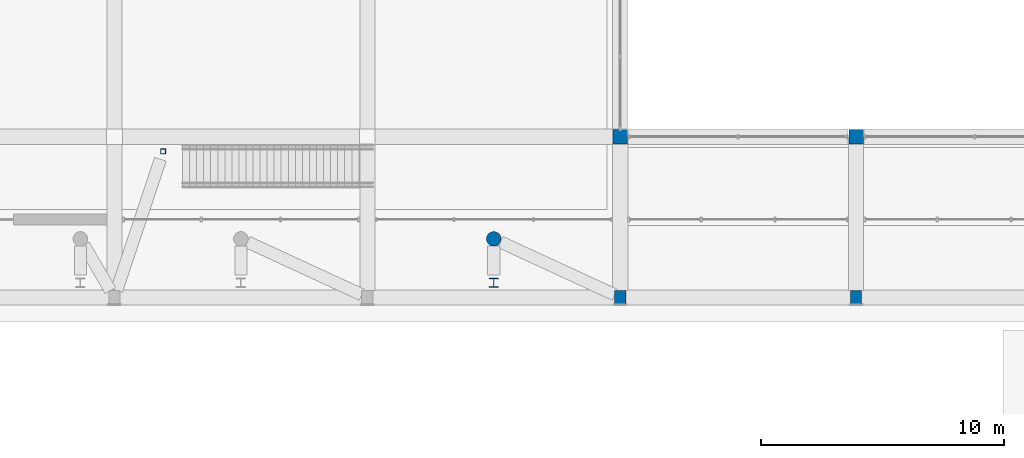
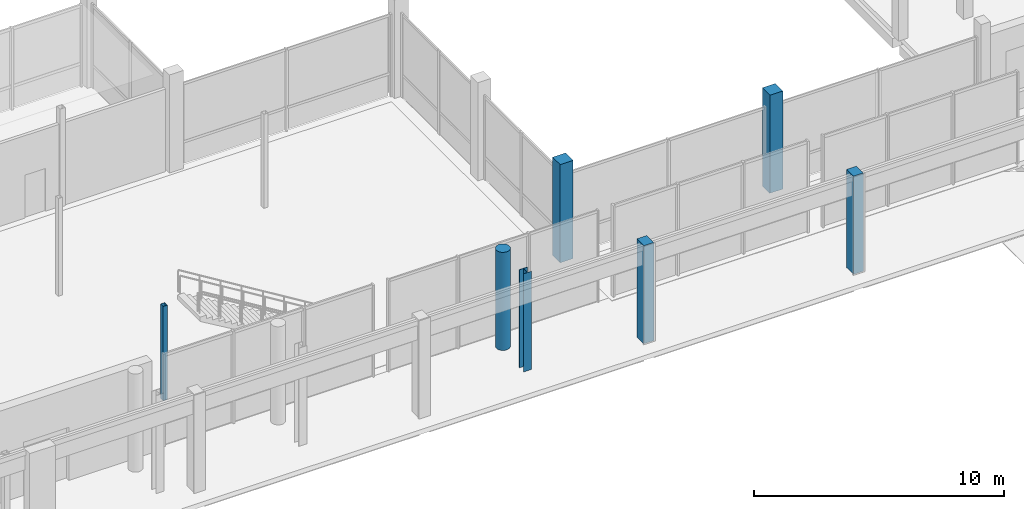
# One storey, part 10 of 88: 7 columns.
"""IFC4 building model written with IfcOpenShell, lengths in metres."""

from ifc_helpers import new_model, si_unit, derived_unit, direction, frame, origin, origin_2d, place, context, subcontext, project, spatial, rectangle, hollow_rectangle, circle, i_section, extrude, material, material_profile, profile_set, type_object, element, save


model = new_model("IFC4")

# Units and contexts
model_context = context("Model", 3, precision=1e-05, world=origin(), true_north=direction((0.0, 1.0)))
body_context = subcontext(model_context, "Body", "Model", "MODEL_VIEW")
ifc_project = project(units=[si_unit("LENGTHUNIT", "METRE"), si_unit("AREAUNIT", "SQUARE_METRE"), si_unit("VOLUMEUNIT", "CUBIC_METRE"), si_unit("PLANEANGLEUNIT", "RADIAN"), si_unit("MASSUNIT", "GRAM", prefix="KILO"), derived_unit("THERMALTRANSMITTANCEUNIT", [(si_unit("POWERUNIT", "WATT"), 1), (si_unit("LENGTHUNIT", "METRE"), -2), (si_unit("THERMODYNAMICTEMPERATUREUNIT", "KELVIN"), -1)])], contexts=[model_context])

# Site, building, storey
site_placement = place(None, origin())
site = spatial("IfcSite", under=ifc_project, at=site_placement, CompositionType="ELEMENT")
building_placement = place(site_placement, origin())
building = spatial("IfcBuilding", under=site, at=building_placement, Name="Braskholm Square Health Centre", CompositionType="ELEMENT")
storey_placement = place(building_placement, origin())
storey = spatial("IfcBuildingStorey", under=building, at=storey_placement, Name="L01", CompositionType="ELEMENT", Elevation=0.0)

# Columns
ifc_material_1 = material(Name="Concrete C40/50 (f'c = 40 MPa)", Category="concrete")
ifc_material_profile_1 = material_profile(ifc_material_1, rectangle(XDim=0.60009765625, YDim=0.60009765625, at=origin_2d()), Name="RC-600X600")
ifc_profile_set_1 = profile_set([ifc_material_profile_1], Name="Concrete C40/50 (f'c = 40 MPa)")
column_type_1 = type_object("IfcColumnType", Name="ColInteriorLow600", PredefinedType="COLUMN", material=ifc_profile_set_1)
for number, where, z_axis, x_axis, name in (
    (1, (120.39990234375, 93.800048828125, 0.0), (0.0, 0.0, 1.0), (1.0, 0.0, 0.0), "Column 15/P L01"),
    (2, (130.10009765625, 93.800048828125, 0.0), (0.0, 0.0, 1.0), (1.0, 0.0, 0.0), "Column 16/P L01"),
):
    element("IfcColumn", number, at=place(storey_placement, frame(where, z_axis=z_axis, x_axis=x_axis)), inside=storey, type_object=column_type_1, Name=name, PredefinedType="COLUMN", context=body_context, shape_type="SweptSolid", body=[
        extrude(rectangle(XDim=0.60009765625, YDim=0.60009765625, at=origin_2d()), origin(), (0.0, 0.0, 1.0), 4.800048828125),
    ])
ifc_material_2 = material(Name="Precast concrete C40/50 architectural white", Category="concrete")
ifc_material_profile_2 = material_profile(ifc_material_2, rectangle(XDim=0.4599609375, YDim=0.56005859375, at=origin_2d()), Name="RC-460X560")
ifc_profile_set_2 = profile_set([ifc_material_profile_2], Name="Precast concrete C40/50 architectural white")
column_type_2 = type_object("IfcColumnType", Name="ColPrecastFrame460x560", PredefinedType="COLUMN", material=ifc_profile_set_2)
for number, where, z_axis, x_axis, name in (
    (3, (120.39990234375, 87.199951171875, 0.0), (0.0, 0.0, 1.0), (1.0, 0.0, 0.0), "Column 15/N L01"),
    (4, (130.10009765625, 87.199951171875, 0.0), (0.0, 0.0, 1.0), (1.0, 0.0, 0.0), "Column 16/N L01"),
):
    element("IfcColumn", number, at=place(storey_placement, frame(where, z_axis=z_axis, x_axis=x_axis)), inside=storey, type_object=column_type_2, Name=name, PredefinedType="COLUMN", context=body_context, shape_type="SweptSolid", body=[
        extrude(rectangle(XDim=0.4599609375, YDim=0.56005859375, at=origin_2d()), origin(), (0.0, 0.0, 1.0), 4.800048828125),
    ])
ifc_material_profile_3 = material_profile(ifc_material_1, circle(Radius=0.300048828125, at=origin_2d()), Name="RC-RND-600")
ifc_profile_set_3 = profile_set([ifc_material_profile_3], Name="Concrete C40/50 (f'c = 40 MPa)")
column_type_3 = type_object("IfcColumnType", Name="ColRoundConcourse600", PredefinedType="COLUMN", material=ifc_profile_set_3)
column_1_placement = place(storey_placement, frame((115.199951171875, 89.60009765625, 0.0), z_axis=(0.0, 0.0, 1.0), x_axis=(1.0, 0.0, 0.0)))
element("IfcColumn", 5, at=column_1_placement, inside=storey, type_object=column_type_3, Name="Column RC06 L01", PredefinedType="COLUMN", context=body_context, shape_type="SweptSolid", body=[
    extrude(circle(Radius=0.300048828125, at=origin_2d()), origin(), (0.0, 0.0, 1.0), 4.800048828125),
])
ifc_material_3 = material(Name="Steel ASTM A992 Grade 50", Category="steel")
ifc_material_profile_4 = material_profile(ifc_material_3, i_section(OverallWidth=0.368896484375, OverallDepth=0.35595703125, WebThickness=0.01123046875, FlangeThickness=0.01806640625, at=origin_2d()), Name="W14X90")
ifc_profile_set_4 = profile_set([ifc_material_profile_4], Name="Steel ASTM A992 Grade 50")
column_type_4 = type_object("IfcColumnType", Name="ColSteelHallW14X90", PredefinedType="COLUMN", material=ifc_profile_set_4)
column_2_placement = place(storey_placement, frame((115.199951171875, 87.800048828125, 0.0), z_axis=(0.0, 0.0, 1.0), x_axis=(1.0, 0.0, 0.0)))
element("IfcColumn", 6, at=column_2_placement, inside=storey, type_object=column_type_4, Name="Column CS1F L01", PredefinedType="COLUMN", context=body_context, shape_type="SweptSolid", body=[
    extrude(i_section(OverallWidth=0.368896484375, OverallDepth=0.35595703125, WebThickness=0.01123046875, FlangeThickness=0.01806640625, at=origin_2d()), origin(), (0.0, 0.0, 1.0), 4.800048828125),
])
ifc_material_4 = material(Name="Steel ASTM A500 Grade C", Category="steel")
ifc_material_profile_5 = material_profile(ifc_material_4, hollow_rectangle(XDim=0.203125, YDim=0.203125, WallThickness=0.0087890625, at=origin_2d()), Name="HSS8X8X3/8")
ifc_profile_set_5 = profile_set([ifc_material_profile_5], Name="Steel ASTM A500 Grade C")
column_type_5 = type_object("IfcColumnType", Name="ColSteelPorchHSS8", PredefinedType="COLUMN", material=ifc_profile_set_5)
column_3_placement = place(storey_placement, frame((101.60009765625, 93.199951171875, 0.0), z_axis=(0.0, 0.0, 1.0), x_axis=(1.0, 0.0, 0.0)))
element("IfcColumn", 7, at=column_3_placement, inside=storey, type_object=column_type_5, Name="Column CS3B L01", PredefinedType="COLUMN", context=body_context, shape_type="SweptSolid", body=[
    extrude(hollow_rectangle(XDim=0.203125, YDim=0.203125, WallThickness=0.0087890625, at=origin_2d()), origin(), (0.0, 0.0, 1.0), 4.6201171875),
])

save(model, "model.ifc")
